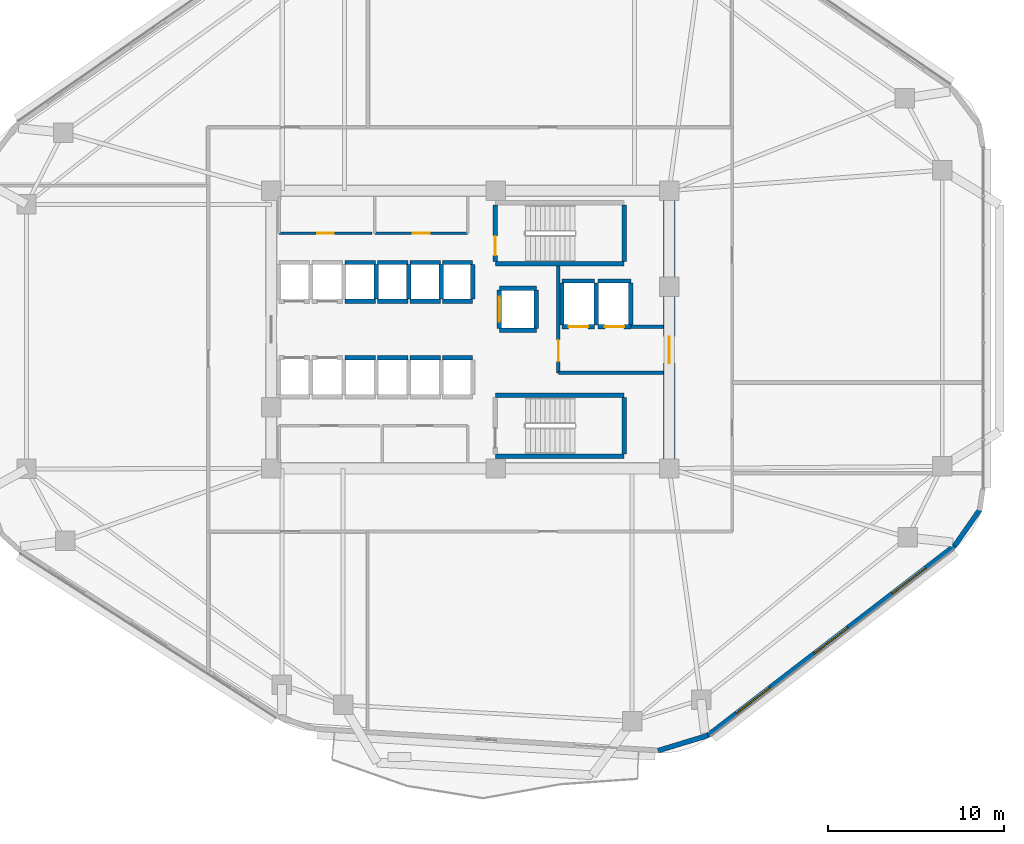
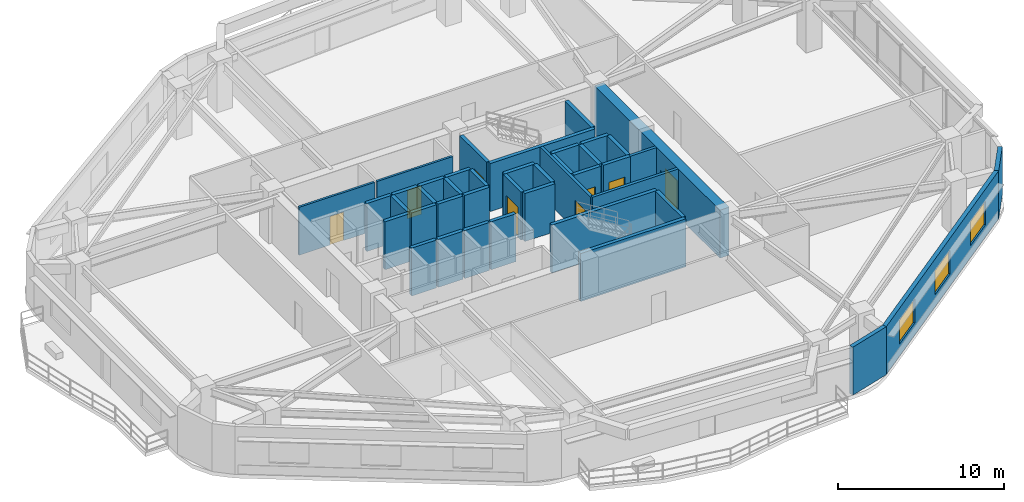
# One storey, part 9 of 13: 42 walls, 8 doors, 3 windows, 11 openings.
"""IFC4 building model written with IfcOpenShell, lengths in metres."""

from ifc_helpers import new_model, si_unit, direction, frame, frame_2d, origin, place, context, subcontext, project, spatial, rectangle, extrude, material, layer, layer_set, type_object, element, fill, save


model = new_model("IFC4")

# Units and contexts
model_context = context("Model", 3, precision=1e-05, world=origin(), true_north=direction((0.0, 1.0)))
body_context = subcontext(model_context, "Body", "Model", "MODEL_VIEW")
ifc_project = project(units=[si_unit("LENGTHUNIT", "METRE"), si_unit("AREAUNIT", "SQUARE_METRE"), si_unit("VOLUMEUNIT", "CUBIC_METRE"), si_unit("PLANEANGLEUNIT", "RADIAN"), si_unit("MASSUNIT", "GRAM", prefix="KILO")], contexts=[model_context])

# Site, building, storey
site_placement = place(None, origin())
site = spatial("IfcSite", under=ifc_project, at=site_placement, CompositionType="ELEMENT")
building_placement = place(site_placement, origin())
building = spatial("IfcBuilding", under=site, at=building_placement, Name="Zulverin Broadcast Headquarters", CompositionType="ELEMENT")
storey_placement = place(building_placement, frame((0.0, 0.0, 108.60009765625)))
storey = spatial("IfcBuildingStorey", under=building, at=storey_placement, Name="L27", CompositionType="ELEMENT", Elevation=108.60009765625)

# Wall, opening, door
ifc_material_1 = material(Name="Concrete C60/75", Category="concrete")
ifc_layer_1 = layer(ifc_material_1, 0.64990234375, Name="Concrete C60/75", Category="concrete")
ifc_layer_set_1 = layer_set([ifc_layer_1], Name="Concrete C60/75")
wall_type_1 = type_object("IfcWallType", Name="WL-CORE-650", PredefinedType="SHEAR", material=ifc_layer_set_1)
wall_1_placement = place(storey_placement, frame((48.27490234375, 17.64990234375, 0.0), z_axis=(0.0, 0.0, 1.0), x_axis=(0.0, 1.0, 0.0)))
wall_1 = element("IfcWall", 1, at=wall_1_placement, inside=storey, type_object=wall_type_1, Name="L27 Core East Shear Wall", PredefinedType="SHEAR", context=body_context, shape_type="SweptSolid", body=[
    extrude(rectangle(XDim=15.10009765625, YDim=0.64990234375, at=frame_2d((7.550048828125, 0.0))), origin(), (0.0, 0.0, 1.0), 3.52490234375),
])
opening_1_placement = place(wall_1_placement, frame((5.64990234375, 0.0, 0.0)))
opening_1 = element("IfcOpeningElement", 2, at=opening_1_placement, cuts=wall_1, Name="Opening D-L27-CE1", PredefinedType="OPENING", context=body_context, shape_type="SweptSolid", body=[
    extrude(rectangle(XDim=1.5, YDim=2.14990234375, at=frame_2d((0.75, 1.074951171875))), frame((0.0, 0.3349609375, 0.0), z_axis=(0.0, -1.0, 0.0), x_axis=(1.0, 0.0, 0.0)), (0.0, 0.0, 1.0), 0.669921875),
])
ifc_material_2 = material(Name="Fire-rated glazed steel frame", Category="steel")
door_type_1 = type_object("IfcDoorType", Name="DR-COR-1500", OperationType="DOUBLE_DOOR_SINGLE_SWING", PredefinedType="DOOR", material=ifc_material_2)
door_1_placement = place(opening_1_placement, origin())
door_1 = element("IfcDoor", 3, at=door_1_placement, inside=storey, type_object=door_type_1, Name="L27 Firefighting Lobby East Corridor Door", OperationType="DOUBLE_DOOR_SINGLE_SWING", OverallHeight=2.14990234375, OverallWidth=1.5, PredefinedType="DOOR", context=body_context, shape_type="SweptSolid", body=[
    extrude(rectangle(XDim=1.5, YDim=2.14990234375, at=frame_2d((0.75, 1.074951171875))), frame((0.0, 0.02490234375, 0.0), z_axis=(0.0, -1.0, 0.0), x_axis=(1.0, 0.0, 0.0)), (0.0, 0.0, 1.0), 0.050048828125),
])
fill(opening_1, door_1)

# Wall, openings, windows
ifc_material_3 = material(Name="Insulated pale-metal clad concrete spandrel C40/50", Category="concrete")
ifc_layer_2 = layer(ifc_material_3, 0.280029296875, Name="Insulated pale-metal clad concrete spandrel C40/50", Category="concrete")
ifc_layer_set_2 = layer_set([ifc_layer_2], Name="Insulated pale-metal clad concrete spandrel C40/50")
wall_type_2 = type_object("IfcWallType", Name="WL-EXT-280", PredefinedType="STANDARD", material=ifc_layer_set_2)
wall_2_placement = place(storey_placement, frame((50.4287109375, 2.171630859375, 0.0), z_axis=(0.0, 0.0, 1.0), x_axis=(0.792937466367, 0.609303023488, 0.0)))
wall_2 = element("IfcWall", 4, at=wall_2_placement, inside=storey, type_object=wall_type_2, Name="L27 Pale-Metal Clad Spandrel Wall 2", PredefinedType="STANDARD", context=body_context, shape_type="SweptSolid", body=[
    extrude(rectangle(XDim=17.712890625, YDim=0.280029296875, at=frame_2d((8.8564453125, 0.0))), origin(), (0.0, 0.0, 1.0), 3.52490234375),
])
opening_2_placement = place(wall_2_placement, frame((2.08544921875, 0.0, 0.89990234375)))
opening_2 = element("IfcOpeningElement", 5, at=opening_2_placement, cuts=wall_2, Name="Opening W-L27-E21", PredefinedType="OPENING", context=body_context, shape_type="SweptSolid", body=[
    extrude(rectangle(XDim=2.39990234375, YDim=1.75, at=frame_2d((1.199951171875, 0.875))), frame((0.0, 0.14990234375, 0.0), z_axis=(0.0, -1.0, 0.0), x_axis=(1.0, 0.0, 0.0)), (0.0, 0.0, 1.0), 0.300048828125),
])
opening_3_placement = place(wall_2_placement, frame((7.656494140625, 0.0, 0.89990234375)))
opening_3 = element("IfcOpeningElement", 6, at=opening_3_placement, cuts=wall_2, Name="Opening W-L27-E22", PredefinedType="OPENING", context=body_context, shape_type="SweptSolid", body=[
    extrude(rectangle(XDim=2.39990234375, YDim=1.75, at=frame_2d((1.199951171875, 0.875))), frame((0.0, 0.14990234375, 0.0), z_axis=(0.0, -1.0, 0.0), x_axis=(1.0, 0.0, 0.0)), (0.0, 0.0, 1.0), 0.300048828125),
])
opening_4_placement = place(wall_2_placement, frame((13.227294921875, 0.0, 0.89990234375)))
opening_4 = element("IfcOpeningElement", 7, at=opening_4_placement, cuts=wall_2, Name="Opening W-L27-E23", PredefinedType="OPENING", context=body_context, shape_type="SweptSolid", body=[
    extrude(rectangle(XDim=2.39990234375, YDim=1.75, at=frame_2d((1.199951171875, 0.875))), frame((0.0, 0.14990234375, 0.0), z_axis=(0.0, -1.0, 0.0), x_axis=(1.0, 0.0, 0.0)), (0.0, 0.0, 1.0), 0.300048828125),
])
ifc_material_4 = material(Name="Pale anodized aluminium frame with solar-control low-E double glazing", Category="aluminium")
window_type = type_object("IfcWindowType", Name="WIN-RIB-2400", PartitioningType="SINGLE_PANEL", PredefinedType="WINDOW", material=ifc_material_4)
window_1_placement = place(opening_2_placement, origin())
window_1 = element("IfcWindow", 8, at=window_1_placement, inside=storey, type_object=window_type, Name="L27 Ribbon Glazing Window 2 1", OverallHeight=1.75, OverallWidth=2.39990234375, PartitioningType="SINGLE_PANEL", PredefinedType="WINDOW", context=body_context, shape_type="SweptSolid", body=[
    extrude(rectangle(XDim=2.39990234375, YDim=1.75, at=frame_2d((1.199951171875, 0.875))), frame((0.0, 0.030029296875, 0.0), z_axis=(0.0, -1.0, 0.0), x_axis=(1.0, 0.0, 0.0)), (0.0, 0.0, 1.0), 0.06005859375),
])
fill(opening_2, window_1)
window_2_placement = place(opening_3_placement, origin())
window_2 = element("IfcWindow", 9, at=window_2_placement, inside=storey, type_object=window_type, Name="L27 Ribbon Glazing Window 2 2", OverallHeight=1.75, OverallWidth=2.39990234375, PartitioningType="SINGLE_PANEL", PredefinedType="WINDOW", context=body_context, shape_type="SweptSolid", body=[
    extrude(rectangle(XDim=2.39990234375, YDim=1.75, at=frame_2d((1.199951171875, 0.875))), frame((0.0, 0.030029296875, 0.0), z_axis=(0.0, -1.0, 0.0), x_axis=(1.0, 0.0, 0.0)), (0.0, 0.0, 1.0), 0.06005859375),
])
fill(opening_3, window_2)
window_3_placement = place(opening_4_placement, origin())
window_3 = element("IfcWindow", 10, at=window_3_placement, inside=storey, type_object=window_type, Name="L27 Ribbon Glazing Window 2 3", OverallHeight=1.75, OverallWidth=2.39990234375, PartitioningType="SINGLE_PANEL", PredefinedType="WINDOW", context=body_context, shape_type="SweptSolid", body=[
    extrude(rectangle(XDim=2.39990234375, YDim=1.75, at=frame_2d((1.199951171875, 0.875))), frame((0.0, 0.030029296875, 0.0), z_axis=(0.0, -1.0, 0.0), x_axis=(1.0, 0.0, 0.0)), (0.0, 0.0, 1.0), 0.06005859375),
])
fill(opening_4, window_3)

# Walls
wall_3_placement = place(storey_placement, frame((47.649658203125, 1.3330078125, 0.0), z_axis=(0.0, 0.0, 1.0), x_axis=(0.956461287977, 0.291859220516, 0.0)))
element("IfcWall", 11, at=wall_3_placement, inside=storey, type_object=wall_type_2, Name="L27 Wind-Shaped Corner Spandrel Wall 1-1", PredefinedType="STANDARD", context=body_context, shape_type="SweptSolid", body=[
    extrude(rectangle(XDim=2.951904296875, YDim=0.280029296875, at=frame_2d((1.47607421875, 0.0))), origin(), (0.0, 0.0, 1.0), 3.52490234375),
])
wall_4_placement = place(storey_placement, frame((64.4443359375, 12.933349609375, 0.0), z_axis=(0.0, 0.0, 1.0), x_axis=(0.573176686443, 0.819431806875, 0.0)))
element("IfcWall", 12, at=wall_4_placement, inside=storey, type_object=wall_type_2, Name="L27 Wind-Shaped Corner Spandrel Wall 2-1", PredefinedType="STANDARD", context=body_context, shape_type="SweptSolid", body=[
    extrude(rectangle(XDim=2.524169921875, YDim=0.280029296875, at=frame_2d((1.26220703125, 0.0))), origin(), (0.0, 0.0, 1.0), 3.52490234375),
])

# Wall, opening, door
ifc_material_5 = material(Name="Concrete C40/50", Category="concrete")
ifc_layer_3 = layer(ifc_material_5, 0.199951171875, Name="Concrete C40/50", Category="concrete")
ifc_layer_set_3 = layer_set([ifc_layer_3], Name="Concrete C40/50")
wall_type_3 = type_object("IfcWallType", Name="WL-FFL-200", PredefinedType="SOLIDWALL", material=ifc_layer_set_3)
wall_5_placement = place(storey_placement, frame((42.0, 22.75, 0.0), z_axis=(0.0, 0.0, 1.0), x_axis=(0.0, 1.0, 0.0)))
wall_5 = element("IfcWall", 13, at=wall_5_placement, inside=storey, type_object=wall_type_3, Name="L27 Firefighting Lift Lobby West Wall", PredefinedType="SOLIDWALL", context=body_context, shape_type="SweptSolid", body=[
    extrude(rectangle(XDim=6.050048828125, YDim=0.199951171875, at=frame_2d((3.02490234375, 0.0))), origin(), (0.0, 0.0, 1.0), 3.52490234375),
])
opening_5_placement = place(wall_5_placement, frame((0.64990234375, 0.0, 0.0)))
opening_5 = element("IfcOpeningElement", 14, at=opening_5_placement, cuts=wall_5, Name="Opening D-L27-FFLW", PredefinedType="OPENING", context=body_context, shape_type="SweptSolid", body=[
    extrude(rectangle(XDim=1.199951171875, YDim=2.14990234375, at=frame_2d((0.60009765625, 1.074951171875))), frame((0.0, 0.10986328125, 0.0), z_axis=(0.0, -1.0, 0.0), x_axis=(1.0, 0.0, 0.0)), (0.0, 0.0, 1.0), 0.219970703125),
])
ifc_material_6 = material(Name="Fire-rated steel leaf and frame", Category="steel")
door_type_2 = type_object("IfcDoorType", Name="DR-FFL-1200", OperationType="SINGLE_SWING_RIGHT", PredefinedType="DOOR", material=ifc_material_6)
door_2_placement = place(opening_5_placement, origin())
door_2 = element("IfcDoor", 15, at=door_2_placement, inside=storey, type_object=door_type_2, Name="L27 Firefighting Lift Lobby Door", OperationType="SINGLE_SWING_RIGHT", OverallHeight=2.14990234375, OverallWidth=1.199951171875, PredefinedType="DOOR", context=body_context, shape_type="SweptSolid", body=[
    extrude(rectangle(XDim=1.199951171875, YDim=2.14990234375, at=frame_2d((0.60009765625, 1.074951171875))), frame((0.0, 0.02490234375, 0.0), z_axis=(0.0, -1.0, 0.0), x_axis=(1.0, 0.0, 0.0)), (0.0, 0.0, 1.0), 0.050048828125),
])
fill(opening_5, door_2)

# Walls
wall_6_placement = place(storey_placement, frame((42.0, 22.75, 0.0), z_axis=(0.0, 0.0, 1.0), x_axis=(1.0, 0.0, 0.0)))
element("IfcWall", 16, at=wall_6_placement, inside=storey, type_object=wall_type_3, Name="L27 Firefighting Lift Lobby South Wall", PredefinedType="SOLIDWALL", context=body_context, shape_type="SweptSolid", body=[
    extrude(rectangle(XDim=5.949951171875, YDim=0.199951171875, at=frame_2d((2.97509765625, 0.0))), origin(), (0.0, 0.0, 1.0), 3.52490234375),
])
wall_7_placement = place(storey_placement, frame((46.10009765625, 25.35009765625, 0.0), z_axis=(0.0, 0.0, 1.0), x_axis=(1.0, 0.0, 0.0)))
element("IfcWall", 17, at=wall_7_placement, inside=storey, type_object=wall_type_3, Name="L27 Firefighting Lift Lobby North Wall", PredefinedType="SOLIDWALL", context=body_context, shape_type="SweptSolid", body=[
    extrude(rectangle(XDim=1.849853515625, YDim=0.199951171875, at=frame_2d((0.9248046875, 0.0))), origin(), (0.0, 0.0, 1.0), 3.52490234375),
])

# Wall, opening, door
ifc_material_7 = material(Name="Fire-rated gypsum stud partition", Category="gypsum")
ifc_layer_4 = layer(ifc_material_7, 0.14990234375, Name="Fire-rated gypsum stud partition", Category="gypsum")
ifc_layer_set_4 = layer_set([ifc_layer_4], Name="Fire-rated gypsum stud partition")
wall_type_4 = type_object("IfcWallType", Name="WL-PART-150", PredefinedType="PARTITIONING", material=ifc_layer_set_4)
wall_8_placement = place(storey_placement, frame((26.169921875, 30.64990234375, 0.0), z_axis=(0.0, 0.0, 1.0), x_axis=(1.0, 0.0, 0.0)))
wall_8 = element("IfcWall", 18, at=wall_8_placement, inside=storey, type_object=wall_type_4, Name="L27 Core Male WC Front Wall", PredefinedType="PARTITIONING", context=body_context, shape_type="SweptSolid", body=[
    extrude(rectangle(XDim=5.260009765625, YDim=0.14990234375, at=frame_2d((2.6298828125, 0.0))), origin(), (0.0, 0.0, 1.0), 3.52490234375),
])
opening_6_placement = place(wall_8_placement, frame((2.155029296875, 0.0, 0.0)))
opening_6 = element("IfcOpeningElement", 19, at=opening_6_placement, cuts=wall_8, Name="Opening D-L27-NC1", PredefinedType="OPENING", context=body_context, shape_type="SweptSolid", body=[
    extrude(rectangle(XDim=0.949951171875, YDim=2.10009765625, at=frame_2d((0.47509765625, 1.050048828125))), frame((0.0, 0.0849609375, 0.0), z_axis=(0.0, -1.0, 0.0), x_axis=(1.0, 0.0, 0.0)), (0.0, 0.0, 1.0), 0.169921875),
])
ifc_material_8 = material(Name="Fire-rated moisture-resistant laminate leaf", Category="wood")
door_type_3 = type_object("IfcDoorType", Name="DR-WC-950", OperationType="SINGLE_SWING_LEFT", PredefinedType="DOOR", material=ifc_material_8)
door_3_placement = place(opening_6_placement, origin())
door_3 = element("IfcDoor", 20, at=door_3_placement, inside=storey, type_object=door_type_3, Name="L27 Male WC Door", OperationType="SINGLE_SWING_LEFT", OverallHeight=2.10009765625, OverallWidth=0.949951171875, PredefinedType="DOOR", context=body_context, shape_type="SweptSolid", body=[
    extrude(rectangle(XDim=0.949951171875, YDim=2.10009765625, at=frame_2d((0.47509765625, 1.050048828125))), frame((0.0, 0.02490234375, 0.0), z_axis=(0.0, -1.0, 0.0), x_axis=(1.0, 0.0, 0.0)), (0.0, 0.0, 1.0), 0.050048828125),
])
fill(opening_6, door_3)

wall_9_placement = place(storey_placement, frame((31.590087890625, 30.64990234375, 0.0), z_axis=(0.0, 0.0, 1.0), x_axis=(1.0, 0.0, 0.0)))
wall_9 = element("IfcWall", 21, at=wall_9_placement, inside=storey, type_object=wall_type_4, Name="L27 Core Accessible WC Front Wall", PredefinedType="PARTITIONING", context=body_context, shape_type="SweptSolid", body=[
    extrude(rectangle(XDim=5.260009765625, YDim=0.14990234375, at=frame_2d((2.6298828125, 0.0))), origin(), (0.0, 0.0, 1.0), 3.52490234375),
])
opening_7_placement = place(wall_9_placement, frame((2.155029296875, 0.0, 0.0)))
opening_7 = element("IfcOpeningElement", 22, at=opening_7_placement, cuts=wall_9, Name="Opening D-L27-NC2", PredefinedType="OPENING", context=body_context, shape_type="SweptSolid", body=[
    extrude(rectangle(XDim=0.949951171875, YDim=2.10009765625, at=frame_2d((0.47509765625, 1.050048828125))), frame((0.0, 0.0849609375, 0.0), z_axis=(0.0, -1.0, 0.0), x_axis=(1.0, 0.0, 0.0)), (0.0, 0.0, 1.0), 0.169921875),
])
door_4_placement = place(opening_7_placement, origin())
door_4 = element("IfcDoor", 23, at=door_4_placement, inside=storey, type_object=door_type_3, Name="L27 Accessible WC Door", OperationType="SINGLE_SWING_RIGHT", OverallHeight=2.10009765625, OverallWidth=0.949951171875, PredefinedType="DOOR", context=body_context, shape_type="SweptSolid", body=[
    extrude(rectangle(XDim=0.949951171875, YDim=2.10009765625, at=frame_2d((0.47509765625, 1.050048828125))), frame((0.0, 0.02490234375, 0.0), z_axis=(0.0, -1.0, 0.0), x_axis=(1.0, 0.0, 0.0)), (0.0, 0.0, 1.0), 0.050048828125),
])
fill(opening_7, door_4)

# Wall
ifc_material_9 = material(Name="Concrete C50/60", Category="concrete")
ifc_layer_5 = layer(ifc_material_9, 0.25, Name="Concrete C50/60", Category="concrete")
ifc_layer_set_5 = layer_set([ifc_layer_5], Name="Concrete C50/60")
wall_type_5 = type_object("IfcWallType", Name="WL-SHAFT-250", PredefinedType="SHEAR", material=ifc_layer_set_5)
wall_10_placement = place(storey_placement, frame((38.425048828125, 28.925048828125, 0.0), z_axis=(0.0, 0.0, 1.0), x_axis=(1.0, 0.0, 0.0)))
element("IfcWall", 24, at=wall_10_placement, inside=storey, type_object=wall_type_5, Name="L27 ST-1 Enclosure Wall S", PredefinedType="SHEAR", context=body_context, shape_type="SweptSolid", body=[
    extrude(rectangle(XDim=7.300048828125, YDim=0.25, at=frame_2d((3.64990234375, 0.0))), origin(), (0.0, 0.0, 1.0), 3.52490234375),
])

# Wall, opening, door
wall_11_placement = place(storey_placement, frame((38.425048828125, 29.050048828125, 0.0), z_axis=(0.0, 0.0, 1.0), x_axis=(0.0, 1.0, 0.0)))
wall_11 = element("IfcWall", 25, at=wall_11_placement, inside=storey, type_object=wall_type_5, Name="L27 ST-1 Enclosure Wall W", PredefinedType="SHEAR", context=body_context, shape_type="SweptSolid", body=[
    extrude(rectangle(XDim=3.199951171875, YDim=0.25, at=frame_2d((1.60009765625, 0.0))), origin(), (0.0, 0.0, 1.0), 3.52490234375),
])
opening_8_placement = place(wall_11_placement, frame((0.35009765625, 0.0, 0.0)))
opening_8 = element("IfcOpeningElement", 26, at=opening_8_placement, cuts=wall_11, Name="Opening D-L27-ST-1", PredefinedType="OPENING", context=body_context, shape_type="SweptSolid", body=[
    extrude(rectangle(XDim=1.10009765625, YDim=2.14990234375, at=frame_2d((0.550048828125, 1.074951171875))), frame((0.0, 0.135009765625, 0.0), z_axis=(0.0, -1.0, 0.0), x_axis=(1.0, 0.0, 0.0)), (0.0, 0.0, 1.0), 0.27001953125),
])
door_type_4 = type_object("IfcDoorType", Name="DR-STAIR-1100", OperationType="SINGLE_SWING_LEFT", PredefinedType="DOOR", material=ifc_material_6)
door_5_placement = place(opening_8_placement, origin())
door_5 = element("IfcDoor", 27, at=door_5_placement, inside=storey, type_object=door_type_4, Name="L27 Exit Stair ST-1 Fire Door", OperationType="SINGLE_SWING_LEFT", OverallHeight=2.14990234375, OverallWidth=1.10009765625, PredefinedType="DOOR", context=body_context, shape_type="SweptSolid", body=[
    extrude(rectangle(XDim=1.10009765625, YDim=2.14990234375, at=frame_2d((0.550048828125, 1.074951171875))), frame((0.0, 0.02490234375, 0.0), z_axis=(0.0, -1.0, 0.0), x_axis=(1.0, 0.0, 0.0)), (0.0, 0.0, 1.0), 0.050048828125),
])
fill(opening_8, door_5)

# Walls
wall_12_placement = place(storey_placement, frame((45.72509765625, 29.050048828125, 0.0), z_axis=(0.0, 0.0, 1.0), x_axis=(0.0, 1.0, 0.0)))
element("IfcWall", 28, at=wall_12_placement, inside=storey, type_object=wall_type_5, Name="L27 ST-1 Enclosure Wall E", PredefinedType="SHEAR", context=body_context, shape_type="SweptSolid", body=[
    extrude(rectangle(XDim=3.199951171875, YDim=0.25, at=frame_2d((1.60009765625, 0.0))), origin(), (0.0, 0.0, 1.0), 3.52490234375),
])
for number, where, z_axis, x_axis, name in (
    (29, (38.425048828125, 18.02490234375, 0.0), (0.0, 0.0, 1.0), (1.0, 0.0, 0.0), "L27 ST-2 Enclosure Wall S"),
    (30, (38.425048828125, 21.47509765625, 0.0), (0.0, 0.0, 1.0), (1.0, 0.0, 0.0), "L27 ST-2 Enclosure Wall N"),
):
    element("IfcWall", number, at=place(storey_placement, frame(where, z_axis=z_axis, x_axis=x_axis)), inside=storey, type_object=wall_type_5, Name=name, PredefinedType="SHEAR", context=body_context, shape_type="SweptSolid", body=[
        extrude(rectangle(XDim=7.300048828125, YDim=0.25, at=frame_2d((3.64990234375, 0.0))), origin(), (0.0, 0.0, 1.0), 3.52490234375),
    ])
wall_13_placement = place(storey_placement, frame((45.72509765625, 18.14990234375, 0.0), z_axis=(0.0, 0.0, 1.0), x_axis=(0.0, 1.0, 0.0)))
element("IfcWall", 31, at=wall_13_placement, inside=storey, type_object=wall_type_5, Name="L27 ST-2 Enclosure Wall E", PredefinedType="SHEAR", context=body_context, shape_type="SweptSolid", body=[
    extrude(rectangle(XDim=3.2001953125, YDim=0.25, at=frame_2d((1.60009765625, 0.0))), origin(), (0.0, 0.0, 1.0), 3.52490234375),
])
wall_14_placement = place(storey_placement, frame((29.89990234375, 23.60009765625, 0.0), z_axis=(0.0, 0.0, 1.0), x_axis=(1.0, 0.0, 0.0)))
element("IfcWall", 32, at=wall_14_placement, inside=storey, type_object=wall_type_5, Name="L27 Lift PL-M1 Shaft Wall N", PredefinedType="SHEAR", context=body_context, shape_type="SweptSolid", body=[
    extrude(rectangle(XDim=1.72021484375, YDim=0.25, at=frame_2d((0.860107421875, 0.0))), origin(), (0.0, 0.0, 1.0), 3.52490234375),
])
for number, where, z_axis, x_axis, name in (
    (33, (31.739990234375, 23.60009765625, 0.0), (0.0, 0.0, 1.0), (1.0, 0.0, 0.0), "L27 Lift PL-M2 Shaft Wall N"),
    (34, (33.580078125, 23.60009765625, 0.0), (0.0, 0.0, 1.0), (1.0, 0.0, 0.0), "L27 Lift PL-M3 Shaft Wall N"),
    (35, (35.419921875, 23.60009765625, 0.0), (0.0, 0.0, 1.0), (1.0, 0.0, 0.0), "L27 Lift PL-M4 Shaft Wall N"),
):
    element("IfcWall", number, at=place(storey_placement, frame(where, z_axis=z_axis, x_axis=x_axis)), inside=storey, type_object=wall_type_5, Name=name, PredefinedType="SHEAR", context=body_context, shape_type="SweptSolid", body=[
        extrude(rectangle(XDim=1.719970703125, YDim=0.25, at=frame_2d((0.85986328125, 0.0))), origin(), (0.0, 0.0, 1.0), 3.52490234375),
    ])
for number, where, z_axis, x_axis, name in (
    (36, (29.89990234375, 26.800048828125, 0.0), (0.0, 0.0, 1.0), (1.0, 0.0, 0.0), "L27 Lift PL-H1 Shaft Wall S"),
    (37, (29.89990234375, 29.0, 0.0), (0.0, 0.0, 1.0), (1.0, 0.0, 0.0), "L27 Lift PL-H1 Shaft Wall N"),
):
    element("IfcWall", number, at=place(storey_placement, frame(where, z_axis=z_axis, x_axis=x_axis)), inside=storey, type_object=wall_type_5, Name=name, PredefinedType="SHEAR", context=body_context, shape_type="SweptSolid", body=[
        extrude(rectangle(XDim=1.72021484375, YDim=0.25, at=frame_2d((0.860107421875, 0.0))), origin(), (0.0, 0.0, 1.0), 3.52490234375),
    ])
wall_15_placement = place(storey_placement, frame((31.679931640625, 26.919921875, 0.0), z_axis=(0.0, 0.0, 1.0), x_axis=(0.0, 1.0, 0.0)))
element("IfcWall", 38, at=wall_15_placement, inside=storey, type_object=wall_type_5, Name="L27 Lift PL-H1 Shaft Wall E", PredefinedType="SHEAR", context=body_context, shape_type="SweptSolid", body=[
    extrude(rectangle(XDim=1.9599609375, YDim=0.25, at=frame_2d((0.97998046875, 0.0))), origin(), (0.0, 0.0, 1.0), 3.52490234375),
])
for number, where, z_axis, x_axis, name in (
    (39, (31.739990234375, 26.800048828125, 0.0), (0.0, 0.0, 1.0), (1.0, 0.0, 0.0), "L27 Lift PL-H2 Shaft Wall S"),
    (40, (31.739990234375, 29.0, 0.0), (0.0, 0.0, 1.0), (1.0, 0.0, 0.0), "L27 Lift PL-H2 Shaft Wall N"),
):
    element("IfcWall", number, at=place(storey_placement, frame(where, z_axis=z_axis, x_axis=x_axis)), inside=storey, type_object=wall_type_5, Name=name, PredefinedType="SHEAR", context=body_context, shape_type="SweptSolid", body=[
        extrude(rectangle(XDim=1.719970703125, YDim=0.25, at=frame_2d((0.85986328125, 0.0))), origin(), (0.0, 0.0, 1.0), 3.52490234375),
    ])
wall_16_placement = place(storey_placement, frame((33.52001953125, 26.919921875, 0.0), z_axis=(0.0, 0.0, 1.0), x_axis=(0.0, 1.0, 0.0)))
element("IfcWall", 41, at=wall_16_placement, inside=storey, type_object=wall_type_5, Name="L27 Lift PL-H2 Shaft Wall E", PredefinedType="SHEAR", context=body_context, shape_type="SweptSolid", body=[
    extrude(rectangle(XDim=1.9599609375, YDim=0.25, at=frame_2d((0.97998046875, 0.0))), origin(), (0.0, 0.0, 1.0), 3.52490234375),
])
for number, where, z_axis, x_axis, name in (
    (42, (33.580078125, 26.800048828125, 0.0), (0.0, 0.0, 1.0), (1.0, 0.0, 0.0), "L27 Lift PL-H3 Shaft Wall S"),
    (43, (33.580078125, 29.0, 0.0), (0.0, 0.0, 1.0), (1.0, 0.0, 0.0), "L27 Lift PL-H3 Shaft Wall N"),
):
    element("IfcWall", number, at=place(storey_placement, frame(where, z_axis=z_axis, x_axis=x_axis)), inside=storey, type_object=wall_type_5, Name=name, PredefinedType="SHEAR", context=body_context, shape_type="SweptSolid", body=[
        extrude(rectangle(XDim=1.719970703125, YDim=0.25, at=frame_2d((0.85986328125, 0.0))), origin(), (0.0, 0.0, 1.0), 3.52490234375),
    ])
wall_17_placement = place(storey_placement, frame((35.360107421875, 26.919921875, 0.0), z_axis=(0.0, 0.0, 1.0), x_axis=(0.0, 1.0, 0.0)))
element("IfcWall", 44, at=wall_17_placement, inside=storey, type_object=wall_type_5, Name="L27 Lift PL-H3 Shaft Wall E", PredefinedType="SHEAR", context=body_context, shape_type="SweptSolid", body=[
    extrude(rectangle(XDim=1.9599609375, YDim=0.25, at=frame_2d((0.97998046875, 0.0))), origin(), (0.0, 0.0, 1.0), 3.52490234375),
])
for number, where, z_axis, x_axis, name in (
    (45, (35.419921875, 26.800048828125, 0.0), (0.0, 0.0, 1.0), (1.0, 0.0, 0.0), "L27 Lift PL-H4 Shaft Wall S"),
    (46, (35.419921875, 29.0, 0.0), (0.0, 0.0, 1.0), (1.0, 0.0, 0.0), "L27 Lift PL-H4 Shaft Wall N"),
):
    element("IfcWall", number, at=place(storey_placement, frame(where, z_axis=z_axis, x_axis=x_axis)), inside=storey, type_object=wall_type_5, Name=name, PredefinedType="SHEAR", context=body_context, shape_type="SweptSolid", body=[
        extrude(rectangle(XDim=1.719970703125, YDim=0.25, at=frame_2d((0.85986328125, 0.0))), origin(), (0.0, 0.0, 1.0), 3.52490234375),
    ])
wall_18_placement = place(storey_placement, frame((37.139892578125, 26.919921875, 0.0), z_axis=(0.0, 0.0, 1.0), x_axis=(0.0, 1.0, 0.0)))
element("IfcWall", 47, at=wall_18_placement, inside=storey, type_object=wall_type_5, Name="L27 Lift PL-H4 Shaft Wall E", PredefinedType="SHEAR", context=body_context, shape_type="SweptSolid", body=[
    extrude(rectangle(XDim=1.9599609375, YDim=0.25, at=frame_2d((0.97998046875, 0.0))), origin(), (0.0, 0.0, 1.0), 3.52490234375),
])

# Wall, opening, door
wall_19_placement = place(storey_placement, frame((42.199951171875, 25.35009765625, 0.0), z_axis=(0.0, 0.0, 1.0), x_axis=(1.0, 0.0, 0.0)))
wall_19 = element("IfcWall", 48, at=wall_19_placement, inside=storey, type_object=wall_type_5, Name="L27 Lift FFL-1 Shaft Wall S", PredefinedType="SHEAR", context=body_context, shape_type="SweptSolid", body=[
    extrude(rectangle(XDim=1.85009765625, YDim=0.25, at=frame_2d((0.925048828125, 0.0))), origin(), (0.0, 0.0, 1.0), 3.52490234375),
])
opening_9_placement = place(wall_19_placement, frame((0.375, 0.0, 0.0)))
opening_9 = element("IfcOpeningElement", 49, at=opening_9_placement, cuts=wall_19, Name="Opening LD-FFL-1-L27", PredefinedType="OPENING", context=body_context, shape_type="SweptSolid", body=[
    extrude(rectangle(XDim=1.10009765625, YDim=2.14990234375, at=frame_2d((0.550048828125, 1.074951171875))), frame((0.0, 0.135009765625, 0.0), z_axis=(0.0, -1.0, 0.0), x_axis=(1.0, 0.0, 0.0)), (0.0, 0.0, 1.0), 0.27001953125),
])
ifc_material_10 = material(Name="Fire-rated stainless landing door", Category="steel")
door_type_5 = type_object("IfcDoorType", Name="LD-FFL-1100", OperationType="DOUBLE_DOOR_SLIDING", PredefinedType="DOOR", material=ifc_material_10)
door_6_placement = place(opening_9_placement, origin())
door_6 = element("IfcDoor", 50, at=door_6_placement, inside=storey, type_object=door_type_5, Name="L27 Lift FFL-1 Sliding Landing Door", OperationType="DOUBLE_DOOR_SLIDING", OverallHeight=2.14990234375, OverallWidth=1.10009765625, PredefinedType="DOOR", context=body_context, shape_type="SweptSolid", body=[
    extrude(rectangle(XDim=1.10009765625, YDim=2.14990234375, at=frame_2d((0.550048828125, 1.074951171875))), frame((0.0, 0.02490234375, 0.0), z_axis=(0.0, -1.0, 0.0), x_axis=(1.0, 0.0, 0.0)), (0.0, 0.0, 1.0), 0.050048828125),
])
fill(opening_9, door_6)

# Walls
wall_20_placement = place(storey_placement, frame((42.199951171875, 27.949951171875, 0.0), z_axis=(0.0, 0.0, 1.0), x_axis=(1.0, 0.0, 0.0)))
element("IfcWall", 51, at=wall_20_placement, inside=storey, type_object=wall_type_5, Name="L27 Lift FFL-1 Shaft Wall N", PredefinedType="SHEAR", context=body_context, shape_type="SweptSolid", body=[
    extrude(rectangle(XDim=1.85009765625, YDim=0.25, at=frame_2d((0.925048828125, 0.0))), origin(), (0.0, 0.0, 1.0), 3.52490234375),
])
for number, where, z_axis, x_axis, name in (
    (52, (42.199951171875, 25.469970703125, 0.0), (0.0, 0.0, 1.0), (0.0, 1.0, 0.0), "L27 Lift FFL-1 Shaft Wall W"),
    (53, (44.14990234375, 25.469970703125, 0.0), (0.0, 0.0, 1.0), (0.0, 1.0, 0.0), "L27 Lift FFL-1 Shaft Wall E"),
):
    element("IfcWall", number, at=place(storey_placement, frame(where, z_axis=z_axis, x_axis=x_axis)), inside=storey, type_object=wall_type_5, Name=name, PredefinedType="SHEAR", context=body_context, shape_type="SweptSolid", body=[
        extrude(rectangle(XDim=2.360107421875, YDim=0.25, at=frame_2d((1.18017578125, 0.0))), origin(), (0.0, 0.0, 1.0), 3.52490234375),
    ])

# Wall, opening, door
wall_21_placement = place(storey_placement, frame((44.25, 25.35009765625, 0.0), z_axis=(0.0, 0.0, 1.0), x_axis=(1.0, 0.0, 0.0)))
wall_21 = element("IfcWall", 54, at=wall_21_placement, inside=storey, type_object=wall_type_5, Name="L27 Lift FFL-2 Shaft Wall S", PredefinedType="SHEAR", context=body_context, shape_type="SweptSolid", body=[
    extrude(rectangle(XDim=1.85009765625, YDim=0.25, at=frame_2d((0.925048828125, 0.0))), origin(), (0.0, 0.0, 1.0), 3.52490234375),
])
opening_10_placement = place(wall_21_placement, frame((0.375, 0.0, 0.0)))
opening_10 = element("IfcOpeningElement", 55, at=opening_10_placement, cuts=wall_21, Name="Opening LD-FFL-2-L27", PredefinedType="OPENING", context=body_context, shape_type="SweptSolid", body=[
    extrude(rectangle(XDim=1.10009765625, YDim=2.14990234375, at=frame_2d((0.550048828125, 1.074951171875))), frame((0.0, 0.135009765625, 0.0), z_axis=(0.0, -1.0, 0.0), x_axis=(1.0, 0.0, 0.0)), (0.0, 0.0, 1.0), 0.27001953125),
])
door_7_placement = place(opening_10_placement, origin())
door_7 = element("IfcDoor", 56, at=door_7_placement, inside=storey, type_object=door_type_5, Name="L27 Lift FFL-2 Sliding Landing Door", OperationType="DOUBLE_DOOR_SLIDING", OverallHeight=2.14990234375, OverallWidth=1.10009765625, PredefinedType="DOOR", context=body_context, shape_type="SweptSolid", body=[
    extrude(rectangle(XDim=1.10009765625, YDim=2.14990234375, at=frame_2d((0.550048828125, 1.074951171875))), frame((0.0, 0.02490234375, 0.0), z_axis=(0.0, -1.0, 0.0), x_axis=(1.0, 0.0, 0.0)), (0.0, 0.0, 1.0), 0.050048828125),
])
fill(opening_10, door_7)

# Walls
wall_22_placement = place(storey_placement, frame((44.25, 27.949951171875, 0.0), z_axis=(0.0, 0.0, 1.0), x_axis=(1.0, 0.0, 0.0)))
element("IfcWall", 57, at=wall_22_placement, inside=storey, type_object=wall_type_5, Name="L27 Lift FFL-2 Shaft Wall N", PredefinedType="SHEAR", context=body_context, shape_type="SweptSolid", body=[
    extrude(rectangle(XDim=1.85009765625, YDim=0.25, at=frame_2d((0.925048828125, 0.0))), origin(), (0.0, 0.0, 1.0), 3.52490234375),
])
wall_23_placement = place(storey_placement, frame((46.10009765625, 25.469970703125, 0.0), z_axis=(0.0, 0.0, 1.0), x_axis=(0.0, 1.0, 0.0)))
element("IfcWall", 58, at=wall_23_placement, inside=storey, type_object=wall_type_5, Name="L27 Lift FFL-2 Shaft Wall E", PredefinedType="SHEAR", context=body_context, shape_type="SweptSolid", body=[
    extrude(rectangle(XDim=2.360107421875, YDim=0.25, at=frame_2d((1.18017578125, 0.0))), origin(), (0.0, 0.0, 1.0), 3.52490234375),
])
for number, where, z_axis, x_axis, name in (
    (59, (38.64990234375, 25.14990234375, 0.0), (0.0, 0.0, 1.0), (1.0, 0.0, 0.0), "L27 Lift SVL-1 Shaft Wall S"),
    (60, (38.64990234375, 27.550048828125, 0.0), (0.0, 0.0, 1.0), (1.0, 0.0, 0.0), "L27 Lift SVL-1 Shaft Wall N"),
):
    element("IfcWall", number, at=place(storey_placement, frame(where, z_axis=z_axis, x_axis=x_axis)), inside=storey, type_object=wall_type_5, Name=name, PredefinedType="SHEAR", context=body_context, shape_type="SweptSolid", body=[
        extrude(rectangle(XDim=2.10009765625, YDim=0.25, at=frame_2d((1.050048828125, 0.0))), origin(), (0.0, 0.0, 1.0), 3.52490234375),
    ])

# Wall, opening, door
wall_24_placement = place(storey_placement, frame((38.64990234375, 25.27001953125, 0.0), z_axis=(0.0, 0.0, 1.0), x_axis=(0.0, 1.0, 0.0)))
wall_24 = element("IfcWall", 61, at=wall_24_placement, inside=storey, type_object=wall_type_5, Name="L27 Lift SVL-1 Shaft Wall W", PredefinedType="SHEAR", context=body_context, shape_type="SweptSolid", body=[
    extrude(rectangle(XDim=2.159912109375, YDim=0.25, at=frame_2d((1.080078125, 0.0))), origin(), (0.0, 0.0, 1.0), 3.52490234375),
])
opening_11_placement = place(wall_24_placement, frame((0.3798828125, 0.0, 0.0)))
opening_11 = element("IfcOpeningElement", 62, at=opening_11_placement, cuts=wall_24, Name="Opening LD-SVL-1-L27", PredefinedType="OPENING", context=body_context, shape_type="SweptSolid", body=[
    extrude(rectangle(XDim=1.39990234375, YDim=2.199951171875, at=frame_2d((0.699951171875, 1.10009765625))), frame((0.0, 0.135009765625, 0.0), z_axis=(0.0, -1.0, 0.0), x_axis=(1.0, 0.0, 0.0)), (0.0, 0.0, 1.0), 0.27001953125),
])
ifc_material_11 = material(Name="Heavy-duty stainless landing door", Category="steel")
door_type_6 = type_object("IfcDoorType", Name="LD-GOODS-1400", OperationType="DOUBLE_DOOR_SLIDING", PredefinedType="DOOR", material=ifc_material_11)
door_8_placement = place(opening_11_placement, origin())
door_8 = element("IfcDoor", 63, at=door_8_placement, inside=storey, type_object=door_type_6, Name="L27 Lift SVL-1 Sliding Landing Door", OperationType="DOUBLE_DOOR_SLIDING", OverallHeight=2.199951171875, OverallWidth=1.39990234375, PredefinedType="DOOR", context=body_context, shape_type="SweptSolid", body=[
    extrude(rectangle(XDim=1.39990234375, YDim=2.199951171875, at=frame_2d((0.699951171875, 1.10009765625))), frame((0.0, 0.02490234375, 0.0), z_axis=(0.0, -1.0, 0.0), x_axis=(1.0, 0.0, 0.0)), (0.0, 0.0, 1.0), 0.050048828125),
])
fill(opening_11, door_8)

# Wall
wall_25_placement = place(storey_placement, frame((40.75, 25.27001953125, 0.0), z_axis=(0.0, 0.0, 1.0), x_axis=(0.0, 1.0, 0.0)))
element("IfcWall", 64, at=wall_25_placement, inside=storey, type_object=wall_type_5, Name="L27 Lift SVL-1 Shaft Wall E", PredefinedType="SHEAR", context=body_context, shape_type="SweptSolid", body=[
    extrude(rectangle(XDim=2.159912109375, YDim=0.25, at=frame_2d((1.080078125, 0.0))), origin(), (0.0, 0.0, 1.0), 3.52490234375),
])

save(model, "model.ifc")
